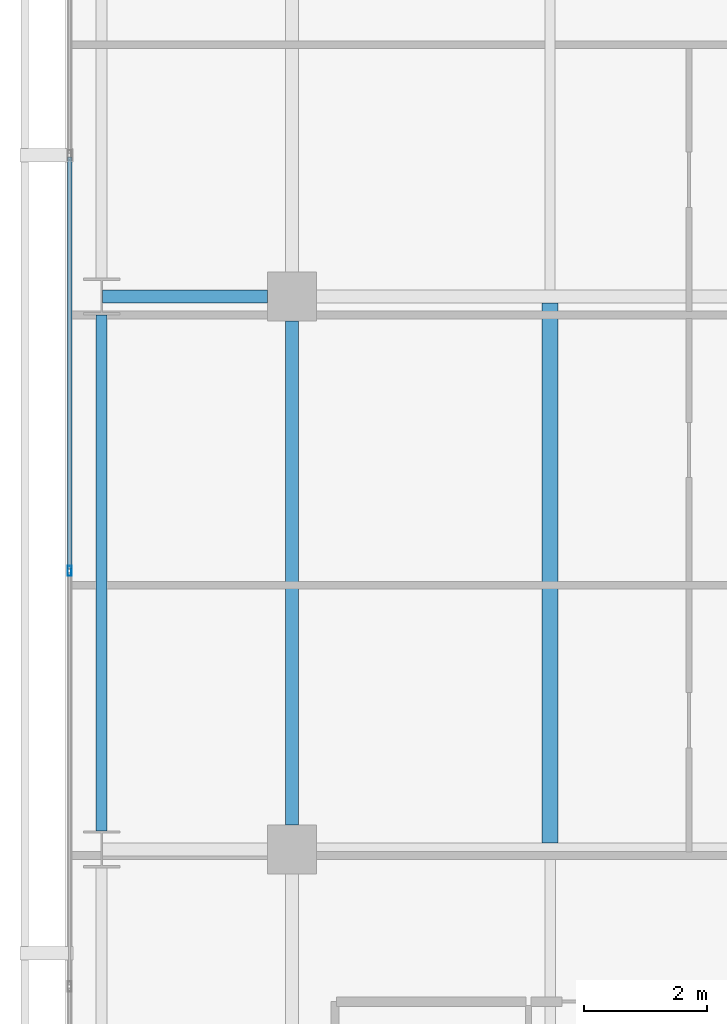
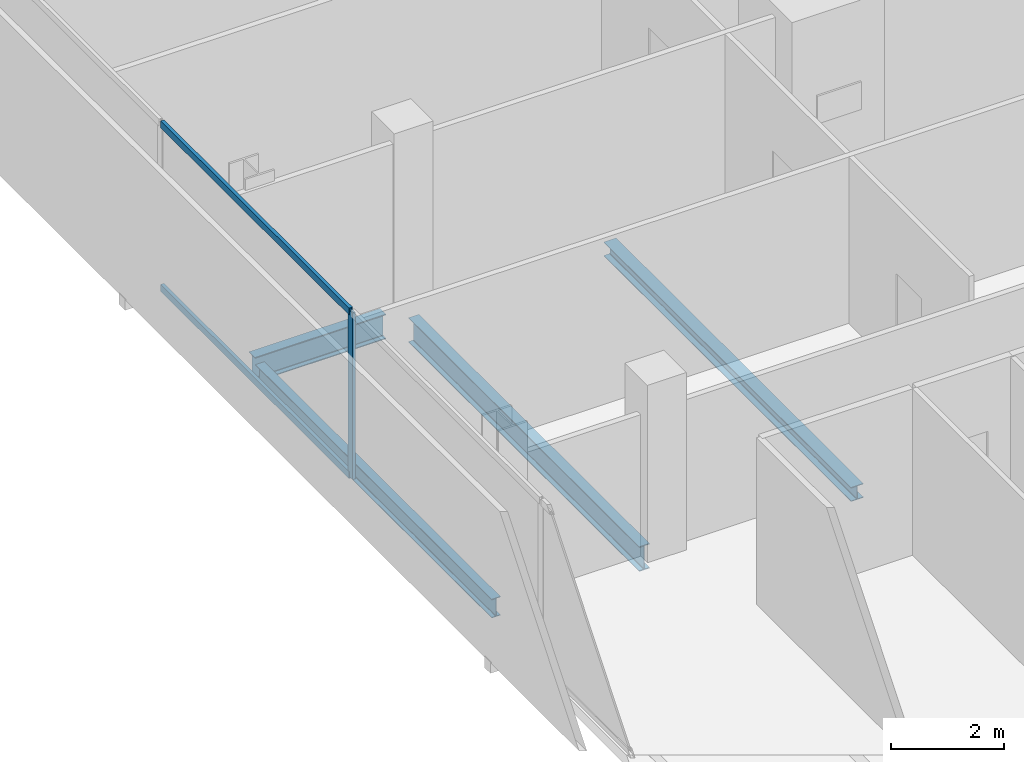
# One storey, part 8 of 34: 4 beams, 3 members, 1 element without a shape of its own.
"""IFC4 building model written with IfcOpenShell, lengths in metres."""

from ifc_helpers import new_model, si_unit, direction, frame, origin, origin_2d, place, context, subcontext, project, spatial, hollow_rectangle, i_section, extrude, material, layer, layer_set, material_profile, profile_set, type_object, element, aggregate, save


model = new_model("IFC4")

# Units and contexts
model_context = context("Model", 3, precision=1e-05, world=origin(), true_north=direction((0.0, 1.0)))
body_context = subcontext(model_context, "Body", "Model", "MODEL_VIEW")
ifc_project = project(units=[si_unit("LENGTHUNIT", "METRE"), si_unit("AREAUNIT", "SQUARE_METRE"), si_unit("VOLUMEUNIT", "CUBIC_METRE"), si_unit("PLANEANGLEUNIT", "RADIAN"), si_unit("MASSUNIT", "GRAM", prefix="KILO")], contexts=[model_context])

# Site, building, storey
site_placement = place(None, origin())
site = spatial("IfcSite", under=ifc_project, at=site_placement, CompositionType="ELEMENT")
building_placement = place(site_placement, origin())
building = spatial("IfcBuilding", under=site, at=building_placement, Name="Maruvema Waterfront Hotel and Observation Tower", CompositionType="ELEMENT")
storey_placement = place(building_placement, frame((0.0, 0.0, 208.25)))
storey = spatial("IfcBuildingStorey", under=building, at=storey_placement, Name="L51", CompositionType="ELEMENT", Elevation=208.25)

# Curtain wall, members
ifc_material_1 = material(Name="Anodised bronze aluminium and solar-control low-E IGU", Category="aluminium")
ifc_layer = layer(ifc_material_1, 0.159912109375, Name="Zone 2 Amber Inner Thermal Curtain Wall System CW-03")
ifc_layer_set = layer_set([ifc_layer], Name="Anodised bronze aluminium and solar-control low-E IGU")
curtain_wall_type = type_object("IfcCurtainWallType", Name="Zone 2 Amber Inner Thermal Curtain Wall System CW-03", PredefinedType="USERDEFINED", material=ifc_layer_set)
curtain_wall_placement = place(storey_placement, origin())
curtain_wall = element("IfcCurtainWall", 1, at=curtain_wall_placement, inside=storey, type_object=curtain_wall_type, Name="L51 Curtain Wall CW-L51-W", ObjectType="UNITISED CURTAIN WALL", PredefinedType="USERDEFINED")
ifc_material_2 = material(Name="Anodised architectural bronze aluminium", Category="aluminium")
ifc_material_profile_1 = material_profile(ifc_material_2, hollow_rectangle(XDim=0.070068359375, YDim=0.14990234375, WallThickness=0.00390625, at=origin_2d()), Name="ALU-T70x150")
ifc_profile_set_1 = profile_set([ifc_material_profile_1], Name="Anodised architectural bronze aluminium")
member_type_1 = type_object("IfcMemberType", Name="Curtain Wall Horizontal Transom ALU-T70x150", PredefinedType="USERDEFINED", material=ifc_profile_set_1)
member_1_placement = place(storey_placement, frame((13.179931640625, 29.27001953125, 0.030029296875), z_axis=(0.0, -1.0, 0.0), x_axis=(1.0, 0.0, 0.0)))
member_1 = element("IfcMember", 2, at=member_1_placement, type_object=member_type_1, Name="CW-03 transom 4.1", ObjectType="TRANSOM", PredefinedType="USERDEFINED", context=body_context, shape_type="SweptSolid", body=[
    extrude(hollow_rectangle(XDim=0.070068359375, YDim=0.14990234375, WallThickness=0.00390625, at=origin_2d()), origin(), (0.0, 0.0, 1.0), 6.706787109375),
])
member_2_placement = place(storey_placement, frame((13.179931640625, 29.27001953125, 3.580078125), z_axis=(0.0, -1.0, 0.0), x_axis=(1.0, 0.0, 0.0)))
member_2 = element("IfcMember", 3, at=member_2_placement, type_object=member_type_1, Name="CW-03 transom 4.2", ObjectType="TRANSOM", PredefinedType="USERDEFINED", context=body_context, shape_type="SweptSolid", body=[
    extrude(hollow_rectangle(XDim=0.070068359375, YDim=0.14990234375, WallThickness=0.00390625, at=origin_2d()), origin(), (0.0, 0.0, 1.0), 6.706787109375),
])
ifc_material_3 = material(Name="Anodised architectural bronze aluminium", Category="aluminium")
ifc_material_profile_2 = material_profile(ifc_material_3, hollow_rectangle(XDim=0.06494140625, YDim=0.1650390625, WallThickness=0.00390625, at=origin_2d()), Name="ALU-M65x165")
ifc_profile_set_2 = profile_set([ifc_material_profile_2], Name="Anodised architectural bronze aluminium")
member_type_2 = type_object("IfcMemberType", Name="Curtain Wall Primary Mullion ALU-M65x165", PredefinedType="MULLION", material=ifc_profile_set_2)
member_3_placement = place(storey_placement, frame((13.179931640625, 22.533447265625, 0.0), z_axis=(0.0, 0.0, 1.0), x_axis=(1.0, 0.0, 0.0)))
member_3 = element("IfcMember", 4, at=member_3_placement, type_object=member_type_2, Name="CW-03 mullion 5", PredefinedType="MULLION", context=body_context, shape_type="SweptSolid", body=[
    extrude(hollow_rectangle(XDim=0.06494140625, YDim=0.1650390625, WallThickness=0.00390625, at=origin_2d()), origin(), (0.0, 0.0, 1.0), 3.610107421875),
])
aggregate(curtain_wall, [member_3, member_1, member_2])

# Beams
ifc_material_4 = material(Name="Steel ASTM A572 Grade 50", Category="steel")
ifc_material_profile_3 = material_profile(ifc_material_4, i_section(OverallWidth=0.178955078125, OverallDepth=0.409912109375, WebThickness=0.0087890625, FlangeThickness=0.014404296875, FilletRadius=0.014892578125, at=origin_2d()), Name="W410x67.0")
ifc_profile_set_3 = profile_set([ifc_material_profile_3], Name="Steel ASTM A572 Grade 50")
beam_type_1 = type_object("IfcBeamType", Name="Perimeter Spandrel Beam W410x67.0", PredefinedType="SPANDREL", material=ifc_profile_set_3)
beam_1_placement = place(storey_placement, frame((13.699951171875, 18.300048828125, -0.445068359375), z_axis=(0.0, 1.0, 0.0), x_axis=(-1.0, 0.0, 0.0)))
element("IfcBeam", 5, at=beam_1_placement, inside=storey, type_object=beam_type_1, Name="L51 Floor Girder NS-02", PredefinedType="SPANDREL", context=body_context, shape_type="SweptSolid", body=[
    extrude(i_section(OverallWidth=0.178955078125, OverallDepth=0.409912109375, WebThickness=0.0087890625, FlangeThickness=0.014404296875, FilletRadius=0.014892578125, at=origin_2d()), origin(), (0.0, 0.0, 1.0), 8.39990234375),
])
ifc_material_5 = material(Name="Steel ASTM A572 Grade 50", Category="steel")
ifc_material_profile_4 = material_profile(ifc_material_5, i_section(OverallWidth=0.2109375, OverallDepth=0.5390625, WebThickness=0.01171875, FlangeThickness=0.018798828125, FilletRadius=0.014892578125, at=origin_2d()), Name="W530x109.0")
ifc_profile_set_4 = profile_set([ifc_material_profile_4], Name="Steel ASTM A572 Grade 50")
beam_type_2 = type_object("IfcBeamType", Name="Primary Floor Girder W530x109.0", PredefinedType="BEAM", material=ifc_profile_set_4)
beam_2_placement = place(storey_placement, frame((13.71240234375, 27.0, -0.509521484375), z_axis=(1.0, 0.0, 0.0), x_axis=(0.0, 1.0, 0.0)))
element("IfcBeam", 6, at=beam_2_placement, inside=storey, type_object=beam_type_2, Name="L51 Floor Girder EW-18", PredefinedType="BEAM", context=body_context, shape_type="SweptSolid", body=[
    extrude(i_section(OverallWidth=0.2109375, OverallDepth=0.5390625, WebThickness=0.01171875, FlangeThickness=0.018798828125, FilletRadius=0.014892578125, at=origin_2d()), origin(), (0.0, 0.0, 1.0), 2.6875),
])
beam_3_placement = place(storey_placement, frame((16.800048828125, 18.39990234375, -0.509521484375), z_axis=(0.0, 1.0, 0.0), x_axis=(-1.0, 0.0, 0.0)))
element("IfcBeam", 7, at=beam_3_placement, inside=storey, type_object=beam_type_2, Name="L51 Floor Girder NS-06", PredefinedType="BEAM", context=body_context, shape_type="SweptSolid", body=[
    extrude(i_section(OverallWidth=0.2109375, OverallDepth=0.5390625, WebThickness=0.01171875, FlangeThickness=0.018798828125, FilletRadius=0.014892578125, at=origin_2d()), origin(), (0.0, 0.0, 1.0), 8.2001953125),
])
ifc_material_6 = material(Name="Steel ASTM A572 Grade 50", Category="steel")
ifc_material_profile_5 = material_profile(ifc_material_6, i_section(OverallWidth=0.25390625, OverallDepth=0.305908203125, WebThickness=0.0087890625, FlangeThickness=0.0146484375, FilletRadius=0.014892578125, at=origin_2d()), Name="W310x79.0")
ifc_profile_set_5 = profile_set([ifc_material_profile_5], Name="Steel ASTM A572 Grade 50")
beam_type_3 = type_object("IfcBeamType", Name="Secondary Floor Joist W310x79.0", PredefinedType="JOIST", material=ifc_profile_set_5)
beam_4_placement = place(storey_placement, frame((21.0, 18.10546875, -0.39306640625), z_axis=(0.0, 1.0, 0.0), x_axis=(-1.0, 0.0, 0.0)))
element("IfcBeam", 8, at=beam_4_placement, inside=storey, type_object=beam_type_3, Name="L51 Secondary Floor Joist JS-02", PredefinedType="JOIST", context=body_context, shape_type="SweptSolid", body=[
    extrude(i_section(OverallWidth=0.25390625, OverallDepth=0.305908203125, WebThickness=0.0087890625, FlangeThickness=0.0146484375, FilletRadius=0.014892578125, at=origin_2d()), origin(), (0.0, 0.0, 1.0), 8.7890625),
])

save(model, "model.ifc")
